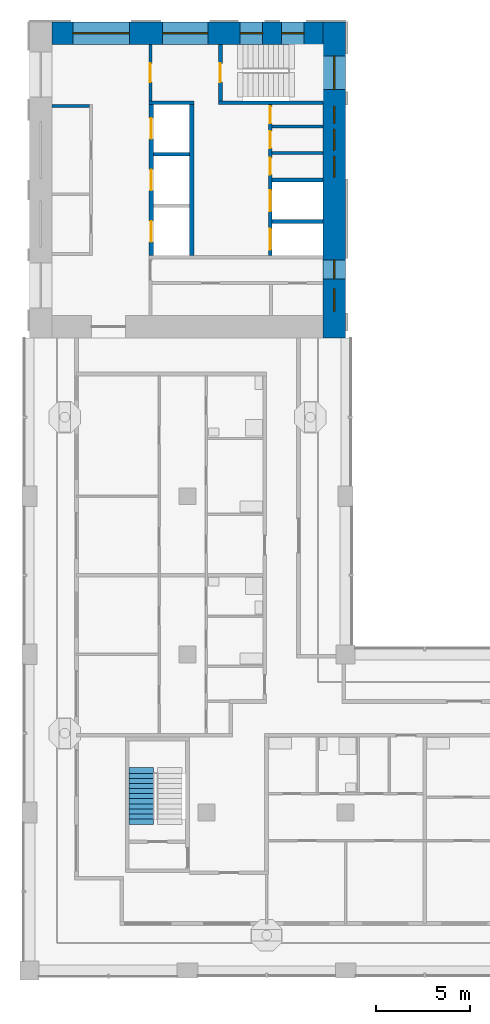
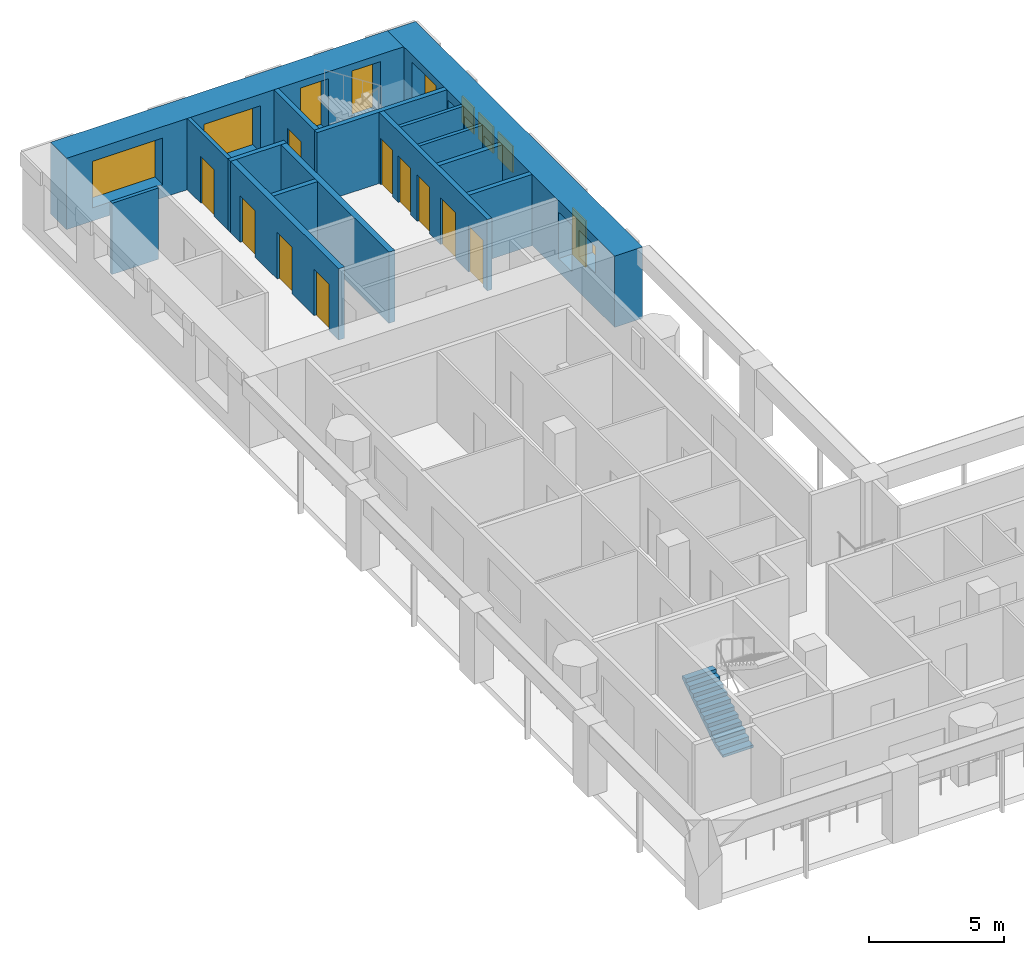
# One storey, part 6 of 12: 15 walls, 10 doors, 10 windows, 1 stair flight, 20 openings, 1 element without a shape of its own.
"""IFC4 building model written with IfcOpenShell, lengths in metres."""

from ifc_helpers import new_model, si_unit, direction, frame, frame_2d, origin, place, context, subcontext, project, spatial, polyline, rectangle, outline, extrude, material, layer, layer_set, type_object, element, fill, aggregate, save


model = new_model("IFC4")

# Units and contexts
model_context = context("Model", 3, precision=1e-05, world=origin(), true_north=direction((0.0, 1.0)))
body_context = subcontext(model_context, "Body", "Model", "MODEL_VIEW")
ifc_project = project(units=[si_unit("LENGTHUNIT", "METRE"), si_unit("AREAUNIT", "SQUARE_METRE"), si_unit("VOLUMEUNIT", "CUBIC_METRE"), si_unit("PLANEANGLEUNIT", "RADIAN"), si_unit("MASSUNIT", "GRAM", prefix="KILO")], contexts=[model_context])

# Site, building, storey
site_placement = place(None, origin())
site = spatial("IfcSite", under=ifc_project, at=site_placement, CompositionType="ELEMENT")
building_placement = place(site_placement, origin())
building = spatial("IfcBuilding", under=site, at=building_placement, Name="Vermilion Gate Residences", CompositionType="ELEMENT")
storey_placement = place(building_placement, frame((0.0, 0.0, 221.199951171875)))
storey = spatial("IfcBuildingStorey", under=building, at=storey_placement, Name="L57", CompositionType="ELEMENT", Elevation=221.199951171875)

# Walls
ifc_material_1 = material(Name="Masonry blockwork", Category="masonry")
ifc_layer_1 = layer(ifc_material_1, 0.14990234375)
ifc_layer_set_1 = layer_set([ifc_layer_1], Name="BLOCKWORK PARTITION 150 EI 120")
wall_type_1 = type_object("IfcWallType", Name="BLOCKWORK PARTITION 150 EI 120", PredefinedType="PARTITIONING", material=ifc_layer_set_1)
wall_1_placement = place(storey_placement, frame((9.60009765625, 54.324951171875, 0.0), z_axis=(0.0, 0.0, 1.0), x_axis=(1.0, 0.0, 0.0)))
element("IfcWall", 1, at=wall_1_placement, inside=storey, type_object=wall_type_1, Name="Core room partition B57-RW-W", PredefinedType="PARTITIONING", context=body_context, shape_type="SweptSolid", body=[
    extrude(rectangle(XDim=2.0, YDim=0.14990234375, at=frame_2d((1.0, 0.0))), origin(), (0.0, 0.0, 1.0), 3.219970703125),
])
for number, where, z_axis, x_axis, name in (
    (2, (21.300048828125, 53.2451171875, 0.0), (0.0, 0.0, 1.0), (1.0, 0.0, 0.0), "Core room partition B57-NR-P0"),
    (3, (21.300048828125, 51.8349609375, 0.0), (0.0, 0.0, 1.0), (1.0, 0.0, 0.0), "Core room partition B57-NR-P1"),
):
    element("IfcWall", number, at=place(storey_placement, frame(where, z_axis=z_axis, x_axis=x_axis)), inside=storey, type_object=wall_type_1, Name=name, PredefinedType="PARTITIONING", context=body_context, shape_type="SweptSolid", body=[
        extrude(rectangle(XDim=2.699951171875, YDim=0.14990234375, at=frame_2d((1.35009765625, 0.0))), origin(), (0.0, 0.0, 1.0), 3.219970703125),
    ])

# Wall, opening, door
wall_2_placement = place(storey_placement, frame((14.824951171875, 57.60009765625, 0.0), z_axis=(0.0, 0.0, 1.0), x_axis=(0.0, -1.0, 0.0)))
wall_2 = element("IfcWall", 4, at=wall_2_placement, inside=storey, type_object=wall_type_1, Name="Core room partition B57-VW-S", PredefinedType="PARTITIONING", context=body_context, shape_type="SweptSolid", body=[
    extrude(rectangle(XDim=3.0, YDim=0.14990234375, at=frame_2d((1.5, 0.0))), origin(), (0.0, 0.0, 1.0), 3.219970703125),
])
opening_1_placement = place(wall_2_placement, frame((1.0, 0.0, 0.0)))
opening_1 = element("IfcOpeningElement", 5, at=opening_1_placement, cuts=wall_2, Name="Opening DK57112", PredefinedType="OPENING", context=body_context, shape_type="SweptSolid", body=[
    extrude(rectangle(XDim=1.0, YDim=2.10009765625, at=frame_2d((0.5, 1.050048828125))), frame((0.0, 0.0849609375, 0.0), z_axis=(0.0, -1.0, 0.0), x_axis=(1.0, 0.0, 0.0)), (0.0, 0.0, 1.0), 0.169921875),
])
ifc_material_2 = material(Name="Steel", Category="steel")
door_type_1 = type_object("IfcDoorType", Name="FIRE DOOR FD60 1000 X 2100", OperationType="SINGLE_SWING_LEFT", PredefinedType="DOOR", material=ifc_material_2)
door_1_placement = place(opening_1_placement, frame((1.0, 0.0, 0.0), z_axis=(0.0, 0.0, 1.0), x_axis=(-1.0, 0.0, 0.0)))
door_1 = element("IfcDoor", 6, at=door_1_placement, inside=storey, type_object=door_type_1, Name="Stair vestibule door B57", OperationType="SINGLE_SWING_RIGHT", OverallHeight=2.10009765625, OverallWidth=1.0, PredefinedType="DOOR", context=body_context, shape_type="SweptSolid", body=[
    extrude(rectangle(XDim=1.0, YDim=2.10009765625, at=frame_2d((0.5, 1.050048828125))), frame((0.0, 0.02490234375, 0.0), z_axis=(0.0, -1.0, 0.0), x_axis=(1.0, 0.0, 0.0)), (0.0, 0.0, 1.0), 0.050048828125),
])
fill(opening_1, door_1)

# Walls
ifc_material_3 = material(Name="Concrete C60", Category="concrete")
ifc_layer_2 = layer(ifc_material_3, 0.199951171875)
ifc_layer_set_2 = layer_set([ifc_layer_2], Name="RC CORE INTERNAL WALL 200 C60")
wall_type_2 = type_object("IfcWallType", Name="RC CORE INTERNAL WALL 200 C60", PredefinedType="SHEAR", material=ifc_layer_set_2)
wall_3_placement = place(storey_placement, frame((15.0, 51.7666015625, 0.0), z_axis=(0.0, 0.0, 1.0), x_axis=(1.0, 0.0, 0.0)))
element("IfcWall", 7, at=wall_3_placement, inside=storey, type_object=wall_type_2, Name="Core internal wall B57-HR-D1", PredefinedType="SHEAR", context=body_context, shape_type="SweptSolid", body=[
    extrude(rectangle(XDim=1.89990234375, YDim=0.199951171875, at=frame_2d((0.949951171875, 0.0))), origin(), (0.0, 0.0, 1.0), 3.219970703125),
])
for number, where, z_axis, x_axis, name in (
    (8, (21.300048828125, 50.39990234375, 0.0), (0.0, 0.0, 1.0), (1.0, 0.0, 0.0), "Core internal wall B57-FF-D0"),
    (9, (21.300048828125, 48.199951171875, 0.0), (0.0, 0.0, 1.0), (1.0, 0.0, 0.0), "Core internal wall B57-FF-D1"),
):
    element("IfcWall", number, at=place(storey_placement, frame(where, z_axis=z_axis, x_axis=x_axis)), inside=storey, type_object=wall_type_2, Name=name, PredefinedType="SHEAR", context=body_context, shape_type="SweptSolid", body=[
        extrude(rectangle(XDim=2.699951171875, YDim=0.199951171875, at=frame_2d((1.35009765625, 0.0))), origin(), (0.0, 0.0, 1.0), 3.219970703125),
    ])

# Wall, openings, doors
wall_4_placement = place(storey_placement, frame((21.199951171875, 54.39990234375, 0.0), z_axis=(0.0, 0.0, 1.0), x_axis=(0.0, -1.0, 0.0)))
wall_4 = element("IfcWall", 10, at=wall_4_placement, inside=storey, type_object=wall_type_2, Name="Core internal wall B57-FF-F", PredefinedType="SHEAR", context=body_context, shape_type="SweptSolid", body=[
    extrude(rectangle(XDim=8.0, YDim=0.199951171875, at=frame_2d((4.0, 0.0))), origin(), (0.0, 0.0, 1.0), 3.219970703125),
])
opening_2_placement = place(wall_4_placement, frame((0.090087890625, 0.0, 0.0)))
opening_2 = element("IfcOpeningElement", 11, at=opening_2_placement, cuts=wall_4, Name="Opening DK57107", PredefinedType="OPENING", context=body_context, shape_type="SweptSolid", body=[
    extrude(rectangle(XDim=0.89990234375, YDim=2.10009765625, at=frame_2d((0.449951171875, 1.050048828125))), frame((0.0, 0.10986328125, 0.0), z_axis=(0.0, -1.0, 0.0), x_axis=(1.0, 0.0, 0.0)), (0.0, 0.0, 1.0), 0.219970703125),
])
opening_3_placement = place(wall_4_placement, frame((1.409912109375, 0.0, 0.0)))
opening_3 = element("IfcOpeningElement", 12, at=opening_3_placement, cuts=wall_4, Name="Opening DK57108", PredefinedType="OPENING", context=body_context, shape_type="SweptSolid", body=[
    extrude(rectangle(XDim=0.89990234375, YDim=2.10009765625, at=frame_2d((0.449951171875, 1.050048828125))), frame((0.0, 0.10986328125, 0.0), z_axis=(0.0, -1.0, 0.0), x_axis=(1.0, 0.0, 0.0)), (0.0, 0.0, 1.0), 0.219970703125),
])
opening_4_placement = place(wall_4_placement, frame((2.820068359375, 0.0, 0.0)))
opening_4 = element("IfcOpeningElement", 13, at=opening_4_placement, cuts=wall_4, Name="Opening DK57109", PredefinedType="OPENING", context=body_context, shape_type="SweptSolid", body=[
    extrude(rectangle(XDim=0.89990234375, YDim=2.10009765625, at=frame_2d((0.449951171875, 1.050048828125))), frame((0.0, 0.10986328125, 0.0), z_axis=(0.0, -1.0, 0.0), x_axis=(1.0, 0.0, 0.0)), (0.0, 0.0, 1.0), 0.219970703125),
])
opening_5_placement = place(wall_4_placement, frame((4.550048828125, 0.0, 0.0)))
opening_5 = element("IfcOpeningElement", 14, at=opening_5_placement, cuts=wall_4, Name="Opening LD", PredefinedType="OPENING", context=body_context, shape_type="SweptSolid", body=[
    extrude(rectangle(XDim=1.10009765625, YDim=2.10009765625, at=frame_2d((0.550048828125, 1.050048828125))), frame((0.0, 0.10986328125, 0.0), z_axis=(0.0, -1.0, 0.0), x_axis=(1.0, 0.0, 0.0)), (0.0, 0.0, 1.0), 0.219970703125),
])
opening_6_placement = place(wall_4_placement, frame((6.60009765625, 0.0, 0.0)))
opening_6 = element("IfcOpeningElement", 15, at=opening_6_placement, cuts=wall_4, Name="Opening LD", PredefinedType="OPENING", context=body_context, shape_type="SweptSolid", body=[
    extrude(rectangle(XDim=1.10009765625, YDim=2.10009765625, at=frame_2d((0.550048828125, 1.050048828125))), frame((0.0, 0.10986328125, 0.0), z_axis=(0.0, -1.0, 0.0), x_axis=(1.0, 0.0, 0.0)), (0.0, 0.0, 1.0), 0.219970703125),
])
ifc_material_4 = material(Name="Stainless steel", Category="steel")
door_type_2 = type_object("IfcDoorType", Name="LIFT LANDING DOOR E60 1100 X 2100", OperationType="DOUBLE_DOOR_SLIDING", PredefinedType="DOOR", material=ifc_material_4)
door_2_placement = place(opening_5_placement, origin())
door_2 = element("IfcDoor", 16, at=door_2_placement, inside=storey, type_object=door_type_2, Name="Lift landing door LFB1", OperationType="DOUBLE_DOOR_SLIDING", OverallHeight=2.10009765625, OverallWidth=1.10009765625, PredefinedType="DOOR", context=body_context, shape_type="SweptSolid", body=[
    extrude(rectangle(XDim=1.10009765625, YDim=2.10009765625, at=frame_2d((0.550048828125, 1.050048828125))), frame((0.0, 0.02490234375, 0.0), z_axis=(0.0, -1.0, 0.0), x_axis=(1.0, 0.0, 0.0)), (0.0, 0.0, 1.0), 0.050048828125),
])
fill(opening_5, door_2)
door_3_placement = place(opening_6_placement, origin())
door_3 = element("IfcDoor", 17, at=door_3_placement, inside=storey, type_object=door_type_2, Name="Lift landing door LCB1", OperationType="DOUBLE_DOOR_SLIDING", OverallHeight=2.10009765625, OverallWidth=1.10009765625, PredefinedType="DOOR", context=body_context, shape_type="SweptSolid", body=[
    extrude(rectangle(XDim=1.10009765625, YDim=2.10009765625, at=frame_2d((0.550048828125, 1.050048828125))), frame((0.0, 0.02490234375, 0.0), z_axis=(0.0, -1.0, 0.0), x_axis=(1.0, 0.0, 0.0)), (0.0, 0.0, 1.0), 0.050048828125),
])
fill(opening_6, door_3)
ifc_material_5 = material(Name="Steel", Category="steel")
door_type_3 = type_object("IfcDoorType", Name="SERVICE ROOM DOOR FD60 900 X 2100", OperationType="SINGLE_SWING_LEFT", PredefinedType="DOOR", material=ifc_material_5)
door_4_placement = place(opening_2_placement, origin())
door_4 = element("IfcDoor", 18, at=door_4_placement, inside=storey, type_object=door_type_3, Name="Parcel room B57", OperationType="SINGLE_SWING_RIGHT", OverallHeight=2.10009765625, OverallWidth=0.89990234375, PredefinedType="DOOR", context=body_context, shape_type="SweptSolid", body=[
    extrude(rectangle(XDim=0.89990234375, YDim=2.10009765625, at=frame_2d((0.449951171875, 1.050048828125))), frame((0.0, 0.02490234375, 0.0), z_axis=(0.0, -1.0, 0.0), x_axis=(1.0, 0.0, 0.0)), (0.0, 0.0, 1.0), 0.050048828125),
])
fill(opening_2, door_4)
door_5_placement = place(opening_3_placement, frame((0.89990234375, 0.0, 0.0), z_axis=(0.0, 0.0, 1.0), x_axis=(-1.0, 0.0, 0.0)))
door_5 = element("IfcDoor", 19, at=door_5_placement, inside=storey, type_object=door_type_3, Name="Electrical room B57", OperationType="SINGLE_SWING_RIGHT", OverallHeight=2.10009765625, OverallWidth=0.89990234375, PredefinedType="DOOR", context=body_context, shape_type="SweptSolid", body=[
    extrude(rectangle(XDim=0.89990234375, YDim=2.10009765625, at=frame_2d((0.449951171875, 1.050048828125))), frame((0.0, 0.02490234375, 0.0), z_axis=(0.0, -1.0, 0.0), x_axis=(1.0, 0.0, 0.0)), (0.0, 0.0, 1.0), 0.050048828125),
])
fill(opening_3, door_5)
door_6_placement = place(opening_4_placement, origin())
door_6 = element("IfcDoor", 20, at=door_6_placement, inside=storey, type_object=door_type_3, Name="Housekeeping store B57", OperationType="SINGLE_SWING_LEFT", OverallHeight=2.10009765625, OverallWidth=0.89990234375, PredefinedType="DOOR", context=body_context, shape_type="SweptSolid", body=[
    extrude(rectangle(XDim=0.89990234375, YDim=2.10009765625, at=frame_2d((0.449951171875, 1.050048828125))), frame((0.0, 0.02490234375, 0.0), z_axis=(0.0, -1.0, 0.0), x_axis=(1.0, 0.0, 0.0)), (0.0, 0.0, 1.0), 0.050048828125),
])
fill(opening_4, door_6)

# Walls
wall_5_placement = place(storey_placement, frame((14.75, 54.5, 0.0), z_axis=(0.0, 0.0, 1.0), x_axis=(1.0, 0.0, 0.0)))
element("IfcWall", 21, at=wall_5_placement, inside=storey, type_object=wall_type_2, Name="Core internal wall B57-WDIV1", PredefinedType="SHEAR", context=body_context, shape_type="SweptSolid", body=[
    extrude(rectangle(XDim=2.39990234375, YDim=0.199951171875, at=frame_2d((1.199951171875, 0.0))), origin(), (0.0, 0.0, 1.0), 3.219970703125),
])
wall_6_placement = place(storey_placement, frame((18.449951171875, 54.5, 0.0), z_axis=(0.0, 0.0, 1.0), x_axis=(1.0, 0.0, 0.0)))
element("IfcWall", 22, at=wall_6_placement, inside=storey, type_object=wall_type_2, Name="Core internal wall B57-WDIV2", PredefinedType="SHEAR", context=body_context, shape_type="SweptSolid", body=[
    extrude(rectangle(XDim=5.550048828125, YDim=0.199951171875, at=frame_2d((2.77490234375, 0.0))), origin(), (0.0, 0.0, 1.0), 3.219970703125),
])

# Wall, opening, door
wall_7_placement = place(storey_placement, frame((18.550048828125, 57.60009765625, 0.0), z_axis=(0.0, 0.0, 1.0), x_axis=(0.0, -1.0, 0.0)))
wall_7 = element("IfcWall", 23, at=wall_7_placement, inside=storey, type_object=wall_type_2, Name="Core internal wall B57-STW-S", PredefinedType="SHEAR", context=body_context, shape_type="SweptSolid", body=[
    extrude(rectangle(XDim=3.0, YDim=0.199951171875, at=frame_2d((1.5, 0.0))), origin(), (0.0, 0.0, 1.0), 3.219970703125),
])
opening_7_placement = place(wall_7_placement, frame((1.0, 0.0, 0.0)))
opening_7 = element("IfcOpeningElement", 24, at=opening_7_placement, cuts=wall_7, Name="Opening DK57113", PredefinedType="OPENING", context=body_context, shape_type="SweptSolid", body=[
    extrude(rectangle(XDim=1.0, YDim=2.10009765625, at=frame_2d((0.5, 1.050048828125))), frame((0.0, 0.10986328125, 0.0), z_axis=(0.0, -1.0, 0.0), x_axis=(1.0, 0.0, 0.0)), (0.0, 0.0, 1.0), 0.219970703125),
])
door_7_placement = place(opening_7_placement, origin())
door_7 = element("IfcDoor", 25, at=door_7_placement, inside=storey, type_object=door_type_1, Name="Stair door B57", OperationType="SINGLE_SWING_LEFT", OverallHeight=2.10009765625, OverallWidth=1.0, PredefinedType="DOOR", context=body_context, shape_type="SweptSolid", body=[
    extrude(rectangle(XDim=1.0, YDim=2.10009765625, at=frame_2d((0.5, 1.050048828125))), frame((0.0, 0.02490234375, 0.0), z_axis=(0.0, -1.0, 0.0), x_axis=(1.0, 0.0, 0.0)), (0.0, 0.0, 1.0), 0.050048828125),
])
fill(opening_7, door_7)

# Wall, openings, windows
ifc_material_6 = material(Name="Concrete C50 red-oxide pigmented", Category="concrete")
ifc_layer_3 = layer(ifc_material_6, 1.199951171875)
ifc_layer_set_3 = layer_set([ifc_layer_3], Name="RC CORE WALL 1200 C50 RED OXIDE")
wall_type_3 = type_object("IfcWallType", Name="RC CORE WALL 1200 C50 RED OXIDE", PredefinedType="SHEAR", material=ifc_layer_set_3)
wall_8_placement = place(storey_placement, frame((24.60009765625, 58.800048828125, 0.0), z_axis=(0.0, 0.0, 1.0), x_axis=(0.0, -1.0, 0.0)))
wall_8 = element("IfcWall", 26, at=wall_8_placement, inside=storey, type_object=wall_type_3, Name="Core wall B57-OUT-B1", PredefinedType="SHEAR", context=body_context, shape_type="SweptSolid", body=[
    extrude(rectangle(XDim=16.800048828125, YDim=1.199951171875, at=frame_2d((8.39990234375, 0.0))), origin(), (0.0, 0.0, 1.0), 3.219970703125),
])
opening_8_placement = place(wall_8_placement, frame((1.800048828125, 0.0, 0.5)))
opening_8 = element("IfcOpeningElement", 27, at=opening_8_placement, cuts=wall_8, Name="Opening WKB5705", PredefinedType="OPENING", context=body_context, shape_type="SweptSolid", body=[
    extrude(rectangle(XDim=1.800048828125, YDim=2.39990234375, at=frame_2d((0.89990234375, 1.199951171875))), frame((0.0, 0.60986328125, 0.0), z_axis=(0.0, -1.0, 0.0), x_axis=(1.0, 0.0, 0.0)), (0.0, 0.0, 1.0), 1.219970703125),
])
opening_9_placement = place(wall_8_placement, frame((4.489990234375, 0.0, 1.60009765625)))
opening_9 = element("IfcOpeningElement", 28, at=opening_9_placement, cuts=wall_8, Name="Opening WKB5706", PredefinedType="OPENING", context=body_context, shape_type="SweptSolid", body=[
    extrude(rectangle(XDim=0.89990234375, YDim=1.199951171875, at=frame_2d((0.449951171875, 0.60009765625))), frame((0.0, 0.60986328125, 0.0), z_axis=(0.0, -1.0, 0.0), x_axis=(1.0, 0.0, 0.0)), (0.0, 0.0, 1.0), 1.219970703125),
])
opening_10_placement = place(wall_8_placement, frame((5.7099609375, 0.0, 1.60009765625)))
opening_10 = element("IfcOpeningElement", 29, at=opening_10_placement, cuts=wall_8, Name="Opening WKB5707", PredefinedType="OPENING", context=body_context, shape_type="SweptSolid", body=[
    extrude(rectangle(XDim=1.10009765625, YDim=1.199951171875, at=frame_2d((0.550048828125, 0.60009765625))), frame((0.0, 0.60986328125, 0.0), z_axis=(0.0, -1.0, 0.0), x_axis=(1.0, 0.0, 0.0)), (0.0, 0.0, 1.0), 1.219970703125),
])
opening_11_placement = place(wall_8_placement, frame((7.14990234375, 0.0, 1.60009765625)))
opening_11 = element("IfcOpeningElement", 30, at=opening_11_placement, cuts=wall_8, Name="Opening WKB5708", PredefinedType="OPENING", context=body_context, shape_type="SweptSolid", body=[
    extrude(rectangle(XDim=1.10009765625, YDim=1.199951171875, at=frame_2d((0.550048828125, 0.60009765625))), frame((0.0, 0.60986328125, 0.0), z_axis=(0.0, -1.0, 0.0), x_axis=(1.0, 0.0, 0.0)), (0.0, 0.0, 1.0), 1.219970703125),
])
opening_12_placement = place(wall_8_placement, frame((12.64990234375, 0.0, 0.60009765625)))
opening_12 = element("IfcOpeningElement", 31, at=opening_12_placement, cuts=wall_8, Name="Opening WKB5709", PredefinedType="OPENING", context=body_context, shape_type="SweptSolid", body=[
    extrude(rectangle(XDim=1.0, YDim=2.10009765625, at=frame_2d((0.5, 1.050048828125))), frame((0.0, 0.60986328125, 0.0), z_axis=(0.0, -1.0, 0.0), x_axis=(1.0, 0.0, 0.0)), (0.0, 0.0, 1.0), 1.219970703125),
])
opening_13_placement = place(wall_8_placement, frame((14.175048828125, 0.0, 1.60009765625)))
opening_13 = element("IfcOpeningElement", 32, at=opening_13_placement, cuts=wall_8, Name="Opening WKB5710", PredefinedType="OPENING", context=body_context, shape_type="SweptSolid", body=[
    extrude(rectangle(XDim=1.199951171875, YDim=1.199951171875, at=frame_2d((0.60009765625, 0.60009765625))), frame((0.0, 0.60986328125, 0.0), z_axis=(0.0, -1.0, 0.0), x_axis=(1.0, 0.0, 0.0)), (0.0, 0.0, 1.0), 1.219970703125),
])
ifc_material_7 = material(Name="Aluminium and clear glass", Category="aluminium")
window_type_1 = type_object("IfcWindowType", Name="CORE CORRIDOR WINDOW 1000 X 2100", PartitioningType="SINGLE_PANEL", PredefinedType="WINDOW", material=ifc_material_7)
window_1_placement = place(opening_12_placement, origin())
window_1 = element("IfcWindow", 33, at=window_1_placement, inside=storey, type_object=window_type_1, Name="Core corridor window", OverallHeight=2.10009765625, OverallWidth=1.0, PartitioningType="SINGLE_PANEL", PredefinedType="WINDOW", context=body_context, shape_type="SweptSolid", body=[
    extrude(rectangle(XDim=1.0, YDim=2.10009765625, at=frame_2d((0.5, 1.050048828125))), frame((0.0, 0.030029296875, 0.0), z_axis=(0.0, -1.0, 0.0), x_axis=(1.0, 0.0, 0.0)), (0.0, 0.0, 1.0), 0.06005859375),
])
fill(opening_12, window_1)
ifc_material_8 = material(Name="Aluminium frame with louvre blades", Category="aluminium")
window_type_2 = type_object("IfcWindowType", Name="CORE LOUVRE 1100 X 1200", PartitioningType="SINGLE_PANEL", PredefinedType="WINDOW", material=ifc_material_8)
window_2_placement = place(opening_10_placement, origin())
window_2 = element("IfcWindow", 34, at=window_2_placement, inside=storey, type_object=window_type_2, Name="Core louvre", OverallHeight=1.199951171875, OverallWidth=1.10009765625, PartitioningType="SINGLE_PANEL", PredefinedType="WINDOW", context=body_context, shape_type="SweptSolid", body=[
    extrude(rectangle(XDim=1.10009765625, YDim=1.199951171875, at=frame_2d((0.550048828125, 0.60009765625))), frame((0.0, 0.030029296875, 0.0), z_axis=(0.0, -1.0, 0.0), x_axis=(1.0, 0.0, 0.0)), (0.0, 0.0, 1.0), 0.06005859375),
])
fill(opening_10, window_2)
window_3_placement = place(opening_11_placement, origin())
window_3 = element("IfcWindow", 35, at=window_3_placement, inside=storey, type_object=window_type_2, Name="Core louvre", OverallHeight=1.199951171875, OverallWidth=1.10009765625, PartitioningType="SINGLE_PANEL", PredefinedType="WINDOW", context=body_context, shape_type="SweptSolid", body=[
    extrude(rectangle(XDim=1.10009765625, YDim=1.199951171875, at=frame_2d((0.550048828125, 0.60009765625))), frame((0.0, 0.030029296875, 0.0), z_axis=(0.0, -1.0, 0.0), x_axis=(1.0, 0.0, 0.0)), (0.0, 0.0, 1.0), 0.06005859375),
])
fill(opening_11, window_3)
ifc_material_9 = material(Name="Aluminium frame with louvre blades", Category="aluminium")
window_type_3 = type_object("IfcWindowType", Name="CORE LOUVRE 1200 X 1200", PartitioningType="SINGLE_PANEL", PredefinedType="WINDOW", material=ifc_material_9)
window_4_placement = place(opening_13_placement, origin())
window_4 = element("IfcWindow", 36, at=window_4_placement, inside=storey, type_object=window_type_3, Name="Core louvre", OverallHeight=1.199951171875, OverallWidth=1.199951171875, PartitioningType="SINGLE_PANEL", PredefinedType="WINDOW", context=body_context, shape_type="SweptSolid", body=[
    extrude(rectangle(XDim=1.199951171875, YDim=1.199951171875, at=frame_2d((0.60009765625, 0.60009765625))), frame((0.0, 0.030029296875, 0.0), z_axis=(0.0, -1.0, 0.0), x_axis=(1.0, 0.0, 0.0)), (0.0, 0.0, 1.0), 0.06005859375),
])
fill(opening_13, window_4)
ifc_material_10 = material(Name="Aluminium frame with louvre blades", Category="aluminium")
window_type_4 = type_object("IfcWindowType", Name="CORE LOUVRE 900 X 1200", PartitioningType="SINGLE_PANEL", PredefinedType="WINDOW", material=ifc_material_10)
window_5_placement = place(opening_9_placement, origin())
window_5 = element("IfcWindow", 37, at=window_5_placement, inside=storey, type_object=window_type_4, Name="Core louvre", OverallHeight=1.199951171875, OverallWidth=0.89990234375, PartitioningType="SINGLE_PANEL", PredefinedType="WINDOW", context=body_context, shape_type="SweptSolid", body=[
    extrude(rectangle(XDim=0.89990234375, YDim=1.199951171875, at=frame_2d((0.449951171875, 0.60009765625))), frame((0.0, 0.030029296875, 0.0), z_axis=(0.0, -1.0, 0.0), x_axis=(1.0, 0.0, 0.0)), (0.0, 0.0, 1.0), 0.06005859375),
])
fill(opening_9, window_5)
ifc_material_11 = material(Name="Aluminium and clear glass", Category="aluminium")
window_type_5 = type_object("IfcWindowType", Name="CORE STAIR WINDOW 1800 X 2400", PartitioningType="SINGLE_PANEL", PredefinedType="WINDOW", material=ifc_material_11)
window_6_placement = place(opening_8_placement, origin())
window_6 = element("IfcWindow", 38, at=window_6_placement, inside=storey, type_object=window_type_5, Name="Core stair window", OverallHeight=2.39990234375, OverallWidth=1.800048828125, PartitioningType="SINGLE_PANEL", PredefinedType="WINDOW", context=body_context, shape_type="SweptSolid", body=[
    extrude(rectangle(XDim=1.800048828125, YDim=2.39990234375, at=frame_2d((0.89990234375, 1.199951171875))), frame((0.0, 0.030029296875, 0.0), z_axis=(0.0, -1.0, 0.0), x_axis=(1.0, 0.0, 0.0)), (0.0, 0.0, 1.0), 0.06005859375),
])
fill(opening_8, window_6)

wall_9_placement = place(storey_placement, frame((9.60009765625, 58.199951171875, 0.0), z_axis=(0.0, 0.0, 1.0), x_axis=(1.0, 0.0, 0.0)))
wall_9 = element("IfcWall", 39, at=wall_9_placement, inside=storey, type_object=wall_type_3, Name="Core wall B57-OUT-FR", PredefinedType="SHEAR", context=body_context, shape_type="SweptSolid", body=[
    extrude(rectangle(XDim=14.39990234375, YDim=1.199951171875, at=frame_2d((7.199951171875, 0.0))), origin(), (0.0, 0.0, 1.0), 3.219970703125),
])
opening_14_placement = place(wall_9_placement, frame((1.10498046875, 0.0, 0.60009765625)))
opening_14 = element("IfcOpeningElement", 40, at=opening_14_placement, cuts=wall_9, Name="Opening WKB5711", PredefinedType="OPENING", context=body_context, shape_type="SweptSolid", body=[
    extrude(rectangle(XDim=3.0, YDim=2.10009765625, at=frame_2d((1.5, 1.050048828125))), frame((0.0, 0.60986328125, 0.0), z_axis=(0.0, -1.0, 0.0), x_axis=(1.0, 0.0, 0.0)), (0.0, 0.0, 1.0), 1.219970703125),
])
opening_15_placement = place(wall_9_placement, frame((5.875, 0.0, 0.60009765625)))
opening_15 = element("IfcOpeningElement", 41, at=opening_15_placement, cuts=wall_9, Name="Opening WKB5712", PredefinedType="OPENING", context=body_context, shape_type="SweptSolid", body=[
    extrude(rectangle(XDim=2.39990234375, YDim=2.10009765625, at=frame_2d((1.199951171875, 1.050048828125))), frame((0.0, 0.60986328125, 0.0), z_axis=(0.0, -1.0, 0.0), x_axis=(1.0, 0.0, 0.0)), (0.0, 0.0, 1.0), 1.219970703125),
])
opening_16_placement = place(wall_9_placement, frame((9.993408203125, 0.0, 0.5)))
opening_16 = element("IfcOpeningElement", 42, at=opening_16_placement, cuts=wall_9, Name="Opening WKB5713", PredefinedType="OPENING", context=body_context, shape_type="SweptSolid", body=[
    extrude(rectangle(XDim=1.199951171875, YDim=2.39990234375, at=frame_2d((0.60009765625, 1.199951171875))), frame((0.0, 0.60986328125, 0.0), z_axis=(0.0, -1.0, 0.0), x_axis=(1.0, 0.0, 0.0)), (0.0, 0.0, 1.0), 1.219970703125),
])
opening_17_placement = place(wall_9_placement, frame((12.19677734375, 0.0, 0.5)))
opening_17 = element("IfcOpeningElement", 43, at=opening_17_placement, cuts=wall_9, Name="Opening WKB5714", PredefinedType="OPENING", context=body_context, shape_type="SweptSolid", body=[
    extrude(rectangle(XDim=1.199951171875, YDim=2.39990234375, at=frame_2d((0.60009765625, 1.199951171875))), frame((0.0, 0.60986328125, 0.0), z_axis=(0.0, -1.0, 0.0), x_axis=(1.0, 0.0, 0.0)), (0.0, 0.0, 1.0), 1.219970703125),
])
ifc_material_12 = material(Name="Aluminium and clear glass", Category="aluminium")
window_type_6 = type_object("IfcWindowType", Name="CORE LOBBY WINDOW 2400 X 2100", PartitioningType="SINGLE_PANEL", PredefinedType="WINDOW", material=ifc_material_12)
window_7_placement = place(opening_15_placement, origin())
window_7 = element("IfcWindow", 44, at=window_7_placement, inside=storey, type_object=window_type_6, Name="Core lobby window", OverallHeight=2.10009765625, OverallWidth=2.39990234375, PartitioningType="SINGLE_PANEL", PredefinedType="WINDOW", context=body_context, shape_type="SweptSolid", body=[
    extrude(rectangle(XDim=2.39990234375, YDim=2.10009765625, at=frame_2d((1.199951171875, 1.050048828125))), frame((0.0, 0.030029296875, 0.0), z_axis=(0.0, -1.0, 0.0), x_axis=(1.0, 0.0, 0.0)), (0.0, 0.0, 1.0), 0.06005859375),
])
fill(opening_15, window_7)
ifc_material_13 = material(Name="Aluminium and clear glass", Category="aluminium")
window_type_7 = type_object("IfcWindowType", Name="CORE LOBBY WINDOW 3000 X 2100", PartitioningType="SINGLE_PANEL", PredefinedType="WINDOW", material=ifc_material_13)
window_8_placement = place(opening_14_placement, origin())
window_8 = element("IfcWindow", 45, at=window_8_placement, inside=storey, type_object=window_type_7, Name="Core lobby window", OverallHeight=2.10009765625, OverallWidth=3.0, PartitioningType="SINGLE_PANEL", PredefinedType="WINDOW", context=body_context, shape_type="SweptSolid", body=[
    extrude(rectangle(XDim=3.0, YDim=2.10009765625, at=frame_2d((1.5, 1.050048828125))), frame((0.0, 0.030029296875, 0.0), z_axis=(0.0, -1.0, 0.0), x_axis=(1.0, 0.0, 0.0)), (0.0, 0.0, 1.0), 0.06005859375),
])
fill(opening_14, window_8)
ifc_material_14 = material(Name="Aluminium and clear glass", Category="aluminium")
window_type_8 = type_object("IfcWindowType", Name="CORE STAIR WINDOW 1200 X 2400", PartitioningType="SINGLE_PANEL", PredefinedType="WINDOW", material=ifc_material_14)
window_9_placement = place(opening_16_placement, origin())
window_9 = element("IfcWindow", 46, at=window_9_placement, inside=storey, type_object=window_type_8, Name="Core stair window", OverallHeight=2.39990234375, OverallWidth=1.199951171875, PartitioningType="SINGLE_PANEL", PredefinedType="WINDOW", context=body_context, shape_type="SweptSolid", body=[
    extrude(rectangle(XDim=1.199951171875, YDim=2.39990234375, at=frame_2d((0.60009765625, 1.199951171875))), frame((0.0, 0.030029296875, 0.0), z_axis=(0.0, -1.0, 0.0), x_axis=(1.0, 0.0, 0.0)), (0.0, 0.0, 1.0), 0.06005859375),
])
fill(opening_16, window_9)
window_10_placement = place(opening_17_placement, origin())
window_10 = element("IfcWindow", 47, at=window_10_placement, inside=storey, type_object=window_type_8, Name="Core stair window", OverallHeight=2.39990234375, OverallWidth=1.199951171875, PartitioningType="SINGLE_PANEL", PredefinedType="WINDOW", context=body_context, shape_type="SweptSolid", body=[
    extrude(rectangle(XDim=1.199951171875, YDim=2.39990234375, at=frame_2d((0.60009765625, 1.199951171875))), frame((0.0, 0.030029296875, 0.0), z_axis=(0.0, -1.0, 0.0), x_axis=(1.0, 0.0, 0.0)), (0.0, 0.0, 1.0), 0.06005859375),
])
fill(opening_17, window_10)

# Wall, openings, doors
ifc_material_15 = material(Name="Concrete C60", Category="concrete")
ifc_layer_4 = layer(ifc_material_15, 0.25)
ifc_layer_set_4 = layer_set([ifc_layer_4], Name="RC LIFT SHAFT WALL 250 C60")
wall_type_4 = type_object("IfcWallType", Name="RC LIFT SHAFT WALL 250 C60", PredefinedType="SHEAR", material=ifc_layer_set_4)
wall_10_placement = place(storey_placement, frame((14.875, 54.39990234375, 0.0), z_axis=(0.0, 0.0, 1.0), x_axis=(0.0, -1.0, 0.0)))
wall_10 = element("IfcWall", 48, at=wall_10_placement, inside=storey, type_object=wall_type_4, Name="Lift shaft wall B57-HR-F", PredefinedType="SHEAR", context=body_context, shape_type="SweptSolid", body=[
    extrude(rectangle(XDim=8.0, YDim=0.25, at=frame_2d((4.0, 0.0))), origin(), (0.0, 0.0, 1.0), 3.219970703125),
])
opening_18_placement = place(wall_10_placement, frame((0.716552734375, 0.0, 0.0)))
opening_18 = element("IfcOpeningElement", 49, at=opening_18_placement, cuts=wall_10, Name="Opening LD", PredefinedType="OPENING", context=body_context, shape_type="SweptSolid", body=[
    extrude(rectangle(XDim=1.10009765625, YDim=2.10009765625, at=frame_2d((0.550048828125, 1.050048828125))), frame((0.0, 0.135009765625, 0.0), z_axis=(0.0, -1.0, 0.0), x_axis=(1.0, 0.0, 0.0)), (0.0, 0.0, 1.0), 0.27001953125),
])
opening_19_placement = place(wall_10_placement, frame((3.449951171875, 0.0, 0.0)))
opening_19 = element("IfcOpeningElement", 50, at=opening_19_placement, cuts=wall_10, Name="Opening LD", PredefinedType="OPENING", context=body_context, shape_type="SweptSolid", body=[
    extrude(rectangle(XDim=1.10009765625, YDim=2.10009765625, at=frame_2d((0.550048828125, 1.050048828125))), frame((0.0, 0.135009765625, 0.0), z_axis=(0.0, -1.0, 0.0), x_axis=(1.0, 0.0, 0.0)), (0.0, 0.0, 1.0), 0.27001953125),
])
opening_20_placement = place(wall_10_placement, frame((6.183349609375, 0.0, 0.0)))
opening_20 = element("IfcOpeningElement", 51, at=opening_20_placement, cuts=wall_10, Name="Opening LD", PredefinedType="OPENING", context=body_context, shape_type="SweptSolid", body=[
    extrude(rectangle(XDim=1.10009765625, YDim=2.10009765625, at=frame_2d((0.550048828125, 1.050048828125))), frame((0.0, 0.135009765625, 0.0), z_axis=(0.0, -1.0, 0.0), x_axis=(1.0, 0.0, 0.0)), (0.0, 0.0, 1.0), 0.27001953125),
])
door_8_placement = place(opening_18_placement, origin())
door_8 = element("IfcDoor", 52, at=door_8_placement, inside=storey, type_object=door_type_2, Name="Lift landing door HRB1", OperationType="DOUBLE_DOOR_SLIDING", OverallHeight=2.10009765625, OverallWidth=1.10009765625, PredefinedType="DOOR", context=body_context, shape_type="SweptSolid", body=[
    extrude(rectangle(XDim=1.10009765625, YDim=2.10009765625, at=frame_2d((0.550048828125, 1.050048828125))), frame((0.0, 0.02490234375, 0.0), z_axis=(0.0, -1.0, 0.0), x_axis=(1.0, 0.0, 0.0)), (0.0, 0.0, 1.0), 0.050048828125),
])
fill(opening_18, door_8)
door_9_placement = place(opening_19_placement, origin())
door_9 = element("IfcDoor", 53, at=door_9_placement, inside=storey, type_object=door_type_2, Name="Lift landing door HRB2", OperationType="DOUBLE_DOOR_SLIDING", OverallHeight=2.10009765625, OverallWidth=1.10009765625, PredefinedType="DOOR", context=body_context, shape_type="SweptSolid", body=[
    extrude(rectangle(XDim=1.10009765625, YDim=2.10009765625, at=frame_2d((0.550048828125, 1.050048828125))), frame((0.0, 0.02490234375, 0.0), z_axis=(0.0, -1.0, 0.0), x_axis=(1.0, 0.0, 0.0)), (0.0, 0.0, 1.0), 0.050048828125),
])
fill(opening_19, door_9)
door_10_placement = place(opening_20_placement, origin())
door_10 = element("IfcDoor", 54, at=door_10_placement, inside=storey, type_object=door_type_2, Name="Lift landing door HRB3", OperationType="DOUBLE_DOOR_SLIDING", OverallHeight=2.10009765625, OverallWidth=1.10009765625, PredefinedType="DOOR", context=body_context, shape_type="SweptSolid", body=[
    extrude(rectangle(XDim=1.10009765625, YDim=2.10009765625, at=frame_2d((0.550048828125, 1.050048828125))), frame((0.0, 0.02490234375, 0.0), z_axis=(0.0, -1.0, 0.0), x_axis=(1.0, 0.0, 0.0)), (0.0, 0.0, 1.0), 0.050048828125),
])
fill(opening_20, door_10)

# Wall
wall_11_placement = place(storey_placement, frame((17.02490234375, 54.39990234375, 0.0), z_axis=(0.0, 0.0, 1.0), x_axis=(0.0, -1.0, 0.0)))
element("IfcWall", 55, at=wall_11_placement, inside=storey, type_object=wall_type_4, Name="Lift shaft wall B57-HR-B", PredefinedType="SHEAR", context=body_context, shape_type="SweptSolid", body=[
    extrude(rectangle(XDim=8.0, YDim=0.25, at=frame_2d((4.0, 0.0))), origin(), (0.0, 0.0, 1.0), 3.219970703125),
])

# Stair, stair flight
ifc_material_16 = material(Name="Concrete C50", Category="concrete")
stair_type = type_object("IfcStairType", Name="SPECIAL ESCAPE STAIR 1300", PredefinedType="HALF_TURN_STAIR", material=ifc_material_16)
stair_placement = place(storey_placement, origin())
stair = element("IfcStair", 56, at=stair_placement, inside=storey, type_object=stair_type, Name="Special escape stair STC1-57", PredefinedType="HALF_TURN_STAIR")
ifc_material_17 = material(Name="Concrete C50", Category="concrete")
stair_flight_type = type_object("IfcStairFlightType", Name="STAIR FLIGHT 1300 RC C50", PredefinedType="STRAIGHT", material=ifc_material_17)
stair_flight_placement = place(storey_placement, frame((14.35009765625, 16.449951171875, 0.0), z_axis=(0.0, 0.0, 1.0), x_axis=(0.0, 1.0, 0.0)))
stair_flight = element("IfcStairFlight", 57, at=stair_flight_placement, type_object=stair_flight_type, Name="STC1-57 flight 1", NumberOfRisers=10, NumberOfTreads=9, PredefinedType="STRAIGHT", RiserHeight=0.175, TreadLength=0.27, context=body_context, shape_type="SweptSolid", body=[
    extrude(outline(polyline([(-0.300048828125, -0.14990234375), (-0.300048828125, -0.030029296875), (0.0, 0.0), (0.0, 0.175048828125), (0.27001953125, 0.175048828125), (0.27001953125, 0.35009765625), (0.5400390625, 0.35009765625), (0.5400390625, 0.52490234375), (0.81005859375, 0.52490234375), (0.81005859375, 0.699951171875), (1.080078125, 0.699951171875), (1.080078125, 0.875), (1.35009765625, 0.875), (1.35009765625, 1.050048828125), (1.6201171875, 1.050048828125), (1.6201171875, 1.22509765625), (1.889892578125, 1.22509765625), (1.889892578125, 1.39990234375), (2.159912109375, 1.39990234375), (2.159912109375, 1.574951171875), (2.429931640625, 1.574951171875), (2.429931640625, 1.75), (2.72998046875, 1.719970703125), (2.72998046875, 1.60009765625), (2.429931640625, 1.396484375), (0.275634765625, 0.0), (-0.300048828125, -0.14990234375)])), frame((0.0, 0.64990234375, 0.0), z_axis=(0.0, -1.0, 0.0), x_axis=(1.0, 0.0, 0.0)), (0.0, 0.0, 1.0), 1.300048828125),
])
aggregate(stair, [stair_flight])

save(model, "model.ifc")
